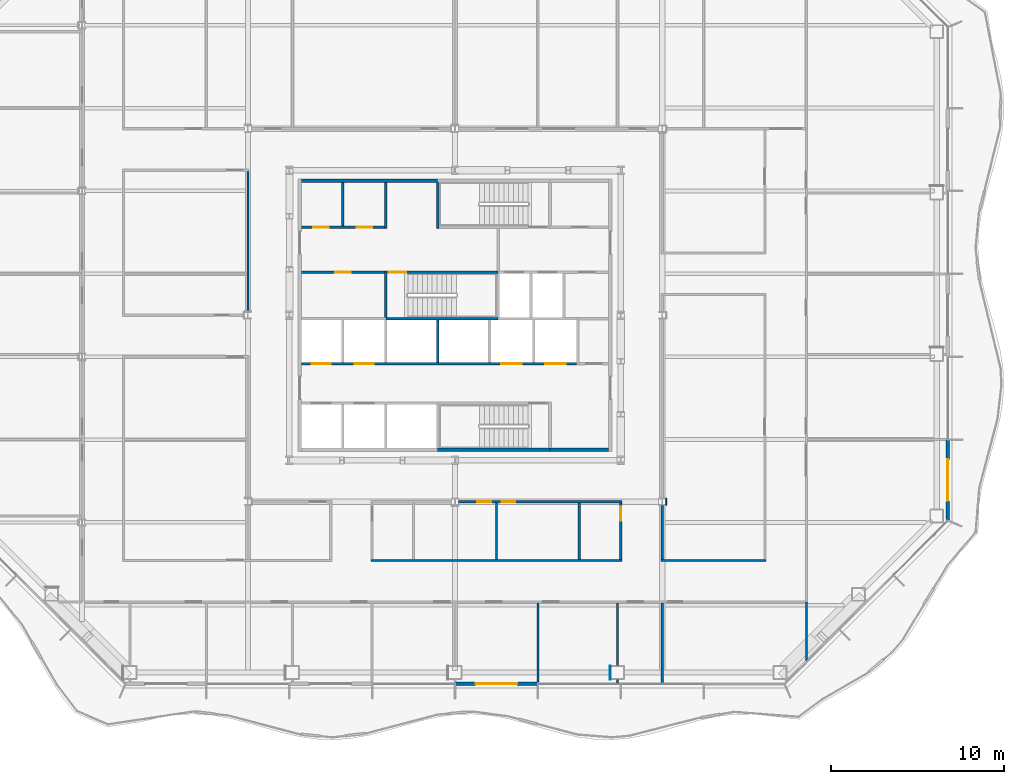
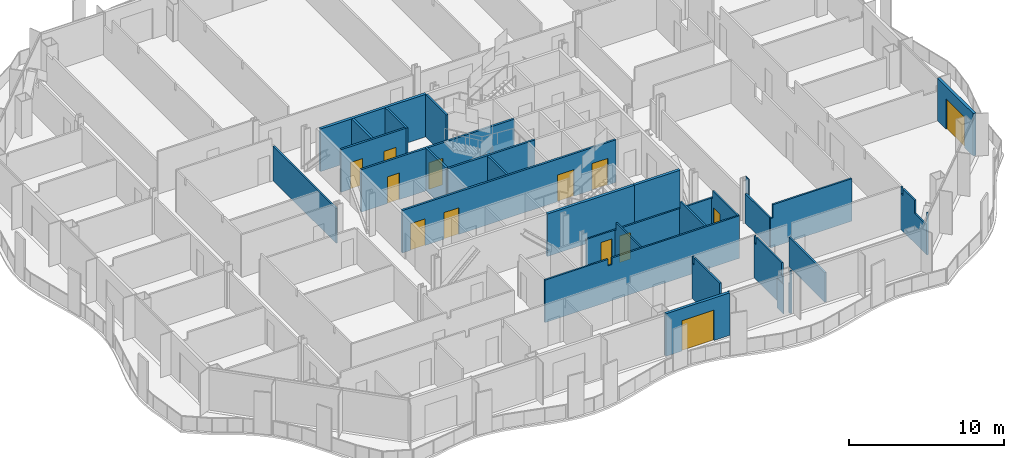
# One storey, part 10 of 23: 30 walls, 13 doors, 13 openings.
"""IFC4 building model written with IfcOpenShell, lengths in metres."""

from ifc_helpers import new_model, si_unit, direction, frame, frame_2d, origin, place, context, subcontext, project, spatial, polyline, rectangle, outline, extrude, material, layer, layer_set, type_object, element, fill, save


model = new_model("IFC4")

# Units and contexts
model_context = context("Model", 3, precision=1e-05, world=origin(), true_north=direction((0.0, 1.0)))
body_context = subcontext(model_context, "Body", "Model", "MODEL_VIEW")
ifc_project = project(units=[si_unit("LENGTHUNIT", "METRE"), si_unit("AREAUNIT", "SQUARE_METRE"), si_unit("VOLUMEUNIT", "CUBIC_METRE"), si_unit("PLANEANGLEUNIT", "RADIAN"), si_unit("MASSUNIT", "GRAM", prefix="KILO")], contexts=[model_context])

# Site, building, storey
site_placement = place(None, origin())
site = spatial("IfcSite", under=ifc_project, at=site_placement, CompositionType="ELEMENT")
building_placement = place(site_placement, origin())
building = spatial("IfcBuilding", under=site, at=building_placement, Name="Cairn Pilgrim Tower", CompositionType="ELEMENT")
storey_placement = place(building_placement, frame((0.0, 0.0, 115.800048828125)))
storey = spatial("IfcBuildingStorey", under=building, at=storey_placement, Name="L28", CompositionType="ELEMENT", Elevation=115.800048828125)

# Wall, opening, door
ifc_material_1 = material(Name="Bronze anodised aluminium insulated sandwich panel with mineral wool fill", Category="aluminium")
ifc_layer_1 = layer(ifc_material_1, 0.199951171875)
ifc_layer_set_1 = layer_set([ifc_layer_1], Name="BRONZE INFILL FRAME WALL 200")
wall_type_1 = type_object("IfcWallType", Name="BRONZE INFILL FRAME WALL 200", PredefinedType="NOTDEFINED", material=ifc_layer_set_1)
wall_1_placement = place(storey_placement, frame((7.22998046875, -18.949951171875, 0.0), z_axis=(0.0, 0.0, 1.0), x_axis=(1.0, 0.0, 0.0)))
wall_1 = element("IfcWall", 1, at=wall_1_placement, inside=storey, type_object=wall_type_1, Name="Bronze infill frame wall IW-S5", PredefinedType="NOTDEFINED", context=body_context, shape_type="SweptSolid", body=[
    extrude(rectangle(XDim=4.739990234375, YDim=0.199951171875, at=frame_2d((2.3701171875, 0.0))), origin(), (0.0, 0.0, 1.0), 3.349853515625),
])
opening_1_placement = place(wall_1_placement, frame((1.169921875, 0.0, 0.0)))
opening_1 = element("IfcOpeningElement", 2, at=opening_1_placement, cuts=wall_1, Name="Opening 2806B", PredefinedType="OPENING", context=body_context, shape_type="SweptSolid", body=[
    extrude(rectangle(XDim=2.39990234375, YDim=2.39990234375, at=frame_2d((1.199951171875, 1.199951171875))), frame((0.0, 0.10986328125, 0.0), z_axis=(0.0, -1.0, 0.0), x_axis=(1.0, 0.0, 0.0)), (0.0, 0.0, 1.0), 0.219970703125),
])
ifc_material_2 = material(Name="Bronze anodised aluminium frame with tinted low-E glass", Category="aluminium")
door_type_1 = type_object("IfcDoorType", Name="BALCONY SLIDING DOOR 2400x2400", OperationType="DOUBLE_DOOR_SLIDING", PredefinedType="DOOR", material=ifc_material_2)
door_1_placement = place(opening_1_placement, origin())
door_1 = element("IfcDoor", 3, at=door_1_placement, inside=storey, type_object=door_type_1, Name="Balcony sliding door 2806B", OperationType="SINGLE_SWING_LEFT", OverallHeight=2.39990234375, OverallWidth=2.39990234375, PredefinedType="DOOR", context=body_context, shape_type="SweptSolid", body=[
    extrude(rectangle(XDim=2.39990234375, YDim=2.39990234375, at=frame_2d((1.199951171875, 1.199951171875))), frame((0.0, 0.02490234375, 0.0), z_axis=(0.0, -1.0, 0.0), x_axis=(1.0, 0.0, 0.0)), (0.0, 0.0, 1.0), 0.050048828125),
])
fill(opening_1, door_1)

wall_2_placement = place(storey_placement, frame((35.75, -9.45654296875, 0.0), z_axis=(0.0, 0.0, 1.0), x_axis=(0.0, 1.0, 0.0)))
wall_2 = element("IfcWall", 4, at=wall_2_placement, inside=storey, type_object=wall_type_1, Name="Bronze infill frame wall IW-E1", PredefinedType="NOTDEFINED", context=body_context, shape_type="SweptSolid", body=[
    extrude(rectangle(XDim=4.62646484375, YDim=0.199951171875, at=frame_2d((2.313232421875, 0.0))), origin(), (0.0, 0.0, 1.0), 3.349853515625),
])
opening_2_placement = place(wall_2_placement, frame((1.108154296875, 0.0, 0.0)))
opening_2 = element("IfcOpeningElement", 5, at=opening_2_placement, cuts=wall_2, Name="Opening 2824B", PredefinedType="OPENING", context=body_context, shape_type="SweptSolid", body=[
    extrude(rectangle(XDim=2.39990234375, YDim=2.39990234375, at=frame_2d((1.199951171875, 1.199951171875))), frame((0.0, 0.10986328125, 0.0), z_axis=(0.0, -1.0, 0.0), x_axis=(1.0, 0.0, 0.0)), (0.0, 0.0, 1.0), 0.219970703125),
])
door_2_placement = place(opening_2_placement, origin())
door_2 = element("IfcDoor", 6, at=door_2_placement, inside=storey, type_object=door_type_1, Name="Balcony sliding door 2824B", OperationType="SINGLE_SWING_LEFT", OverallHeight=2.39990234375, OverallWidth=2.39990234375, PredefinedType="DOOR", context=body_context, shape_type="SweptSolid", body=[
    extrude(rectangle(XDim=2.39990234375, YDim=2.39990234375, at=frame_2d((1.199951171875, 1.199951171875))), frame((0.0, 0.02490234375, 0.0), z_axis=(0.0, -1.0, 0.0), x_axis=(1.0, 0.0, 0.0)), (0.0, 0.0, 1.0), 0.050048828125),
])
fill(opening_2, door_2)

# Walls
ifc_material_3 = material(Name="Concrete C32/40", Category="concrete")
ifc_layer_2 = layer(ifc_material_3, 0.199951171875)
ifc_layer_set_2 = layer_set([ifc_layer_2], Name="CORE OUTER WALL 200 EI 120")
wall_type_2 = type_object("IfcWallType", Name="CORE OUTER WALL 200 EI 120", PredefinedType="SOLIDWALL", material=ifc_layer_set_2)
wall_3_placement = place(storey_placement, frame((12.699951171875, -5.39990234375, 0.0), z_axis=(0.0, 0.0, 1.0), x_axis=(1.0, 0.0, 0.0)))
element("IfcWall", 7, at=wall_3_placement, inside=storey, type_object=wall_type_2, Name="CW:L28:H01-3", PredefinedType="SOLIDWALL", context=body_context, shape_type="SweptSolid", body=[
    extrude(rectangle(XDim=3.400146484375, YDim=0.199951171875, at=frame_2d((1.7001953125, 0.0))), origin(), (0.0, 0.0, 1.0), 3.349853515625),
])
wall_4_placement = place(storey_placement, frame((-1.699951171875, 10.199951171875, 0.0), z_axis=(0.0, 0.0, 1.0), x_axis=(1.0, 0.0, 0.0)))
element("IfcWall", 8, at=wall_4_placement, inside=storey, type_object=wall_type_2, Name="CW:L28:H11-1", PredefinedType="SOLIDWALL", context=body_context, shape_type="SweptSolid", body=[
    extrude(rectangle(XDim=7.89990234375, YDim=0.199951171875, at=frame_2d((3.949951171875, 0.0))), origin(), (0.0, 0.0, 1.0), 3.349853515625),
])

# Wall, opening, door
ifc_layer_3 = layer(ifc_material_3, 0.14990234375)
ifc_layer_set_3 = layer_set([ifc_layer_3], Name="CORE PARTITION 150 EI 60")
wall_type_3 = type_object("IfcWallType", Name="CORE PARTITION 150 EI 60", PredefinedType="PARTITIONING", material=ifc_layer_set_3)
wall_5_placement = place(storey_placement, frame((-1.699951171875, 4.89990234375, 0.0), z_axis=(0.0, 0.0, 1.0), x_axis=(1.0, 0.0, 0.0)))
wall_5 = element("IfcWall", 9, at=wall_5_placement, inside=storey, type_object=wall_type_3, Name="CW:L28:H07", PredefinedType="PARTITIONING", context=body_context, shape_type="SweptSolid", body=[
    extrude(rectangle(XDim=4.824951171875, YDim=0.14990234375, at=frame_2d((2.41259765625, 0.0))), origin(), (0.0, 0.0, 1.0), 3.349853515625),
])
opening_3_placement = place(wall_5_placement, frame((1.949951171875, 0.0, 0.0)))
opening_3 = element("IfcOpeningElement", 10, at=opening_3_placement, cuts=wall_5, Name="Opening RD-R3W1", PredefinedType="OPENING", context=body_context, shape_type="SweptSolid", body=[
    extrude(rectangle(XDim=0.89990234375, YDim=2.10009765625, at=frame_2d((0.449951171875, 1.050048828125))), frame((0.0, 0.0849609375, 0.0), z_axis=(0.0, -1.0, 0.0), x_axis=(1.0, 0.0, 0.0)), (0.0, 0.0, 1.0), 0.169921875),
])
ifc_material_4 = material(Name="Painted steel", Category="steel")
door_type_2 = type_object("IfcDoorType", Name="SERVICE ROOM DOOR 900x2100", OperationType="SINGLE_SWING_LEFT", PredefinedType="DOOR", material=ifc_material_4)
door_3_placement = place(opening_3_placement, origin())
door_3 = element("IfcDoor", 11, at=door_3_placement, inside=storey, type_object=door_type_2, Name="RD-R3W1", OperationType="SINGLE_SWING_LEFT", OverallHeight=2.10009765625, OverallWidth=0.89990234375, PredefinedType="DOOR", context=body_context, shape_type="SweptSolid", body=[
    extrude(rectangle(XDim=0.89990234375, YDim=2.10009765625, at=frame_2d((0.449951171875, 1.050048828125))), frame((0.0, 0.02490234375, 0.0), z_axis=(0.0, -1.0, 0.0), x_axis=(1.0, 0.0, 0.0)), (0.0, 0.0, 1.0), 0.050048828125),
])
fill(opening_3, door_3)

# Wall, openings, doors
wall_6_placement = place(storey_placement, frame((-1.699951171875, 7.5, 0.0), z_axis=(0.0, 0.0, 1.0), x_axis=(1.0, 0.0, 0.0)))
wall_6 = element("IfcWall", 12, at=wall_6_placement, inside=storey, type_object=wall_type_3, Name="CW:L28:H09", PredefinedType="PARTITIONING", context=body_context, shape_type="SweptSolid", body=[
    extrude(rectangle(XDim=4.824951171875, YDim=0.14990234375, at=frame_2d((2.41259765625, 0.0))), origin(), (0.0, 0.0, 1.0), 3.349853515625),
])
opening_4_placement = place(wall_6_placement, frame((0.699951171875, 0.0, 0.0)))
opening_4 = element("IfcOpeningElement", 13, at=opening_4_placement, cuts=wall_6, Name="Opening RD-R4W1", PredefinedType="OPENING", context=body_context, shape_type="SweptSolid", body=[
    extrude(rectangle(XDim=0.89990234375, YDim=2.10009765625, at=frame_2d((0.449951171875, 1.050048828125))), frame((0.0, 0.0849609375, 0.0), z_axis=(0.0, -1.0, 0.0), x_axis=(1.0, 0.0, 0.0)), (0.0, 0.0, 1.0), 0.169921875),
])
opening_5_placement = place(wall_6_placement, frame((3.199951171875, 0.0, 0.0)))
opening_5 = element("IfcOpeningElement", 14, at=opening_5_placement, cuts=wall_6, Name="Opening RD-R4W2", PredefinedType="OPENING", context=body_context, shape_type="SweptSolid", body=[
    extrude(rectangle(XDim=0.89990234375, YDim=2.10009765625, at=frame_2d((0.449951171875, 1.050048828125))), frame((0.0, 0.0849609375, 0.0), z_axis=(0.0, -1.0, 0.0), x_axis=(1.0, 0.0, 0.0)), (0.0, 0.0, 1.0), 0.169921875),
])
door_4_placement = place(opening_4_placement, origin())
door_4 = element("IfcDoor", 15, at=door_4_placement, inside=storey, type_object=door_type_2, Name="RD-R4W1", OperationType="SINGLE_SWING_RIGHT", OverallHeight=2.10009765625, OverallWidth=0.89990234375, PredefinedType="DOOR", context=body_context, shape_type="SweptSolid", body=[
    extrude(rectangle(XDim=0.89990234375, YDim=2.10009765625, at=frame_2d((0.449951171875, 1.050048828125))), frame((0.0, 0.02490234375, 0.0), z_axis=(0.0, -1.0, 0.0), x_axis=(1.0, 0.0, 0.0)), (0.0, 0.0, 1.0), 0.050048828125),
])
fill(opening_4, door_4)
door_5_placement = place(opening_5_placement, origin())
door_5 = element("IfcDoor", 16, at=door_5_placement, inside=storey, type_object=door_type_2, Name="RD-R4W2", OperationType="SINGLE_SWING_LEFT", OverallHeight=2.10009765625, OverallWidth=0.89990234375, PredefinedType="DOOR", context=body_context, shape_type="SweptSolid", body=[
    extrude(rectangle(XDim=0.89990234375, YDim=2.10009765625, at=frame_2d((0.449951171875, 1.050048828125))), frame((0.0, 0.02490234375, 0.0), z_axis=(0.0, -1.0, 0.0), x_axis=(1.0, 0.0, 0.0)), (0.0, 0.0, 1.0), 0.050048828125),
])
fill(opening_5, door_5)

# Walls
wall_7_placement = place(storey_placement, frame((0.699951171875, 7.574951171875, 0.0), z_axis=(0.0, 0.0, 1.0), x_axis=(0.0, 1.0, 0.0)))
element("IfcWall", 17, at=wall_7_placement, inside=storey, type_object=wall_type_3, Name="CW:L28:V15", PredefinedType="PARTITIONING", context=body_context, shape_type="SweptSolid", body=[
    extrude(rectangle(XDim=2.525146484375, YDim=0.14990234375, at=frame_2d((1.2626953125, 0.0))), origin(), (0.0, 0.0, 1.0), 3.349853515625),
])
wall_8_placement = place(storey_placement, frame((3.199951171875, 7.425048828125, 0.0), z_axis=(0.0, 0.0, 1.0), x_axis=(0.0, 1.0, 0.0)))
element("IfcWall", 18, at=wall_8_placement, inside=storey, type_object=wall_type_3, Name="CW:L28:V19", PredefinedType="PARTITIONING", context=body_context, shape_type="SweptSolid", body=[
    extrude(rectangle(XDim=2.675048828125, YDim=0.14990234375, at=frame_2d((1.33740234375, 0.0))), origin(), (0.0, 0.0, 1.0), 3.349853515625),
])

# Wall, openings, doors
ifc_layer_4 = layer(ifc_material_3, 0.14990234375)
ifc_layer_set_4 = layer_set([ifc_layer_4], Name="CORE SHAFT WALL 150 EI 120")
wall_type_4 = type_object("IfcWallType", Name="CORE SHAFT WALL 150 EI 120", PredefinedType="SOLIDWALL", material=ifc_layer_set_4)
wall_9_placement = place(storey_placement, frame((-1.699951171875, -0.39990234375, 0.0), z_axis=(0.0, 0.0, 1.0), x_axis=(1.0, 0.0, 0.0)))
wall_9 = element("IfcWall", 19, at=wall_9_placement, inside=storey, type_object=wall_type_4, Name="CW:L28:H03", PredefinedType="SOLIDWALL", context=body_context, shape_type="SweptSolid", body=[
    extrude(rectangle(XDim=15.925048828125, YDim=0.14990234375, at=frame_2d((7.96240234375, 0.0))), origin(), (0.0, 0.0, 1.0), 3.349853515625),
])
opening_6_placement = place(wall_9_placement, frame((0.60009765625, 0.0, 0.0)))
opening_6 = element("IfcOpeningElement", 20, at=opening_6_placement, cuts=wall_9, Name="Opening LD-LR3", PredefinedType="OPENING", context=body_context, shape_type="SweptSolid", body=[
    extrude(rectangle(XDim=1.10009765625, YDim=2.10009765625, at=frame_2d((0.550048828125, 1.050048828125))), frame((0.0, 0.0849609375, 0.0), z_axis=(0.0, -1.0, 0.0), x_axis=(1.0, 0.0, 0.0)), (0.0, 0.0, 1.0), 0.169921875),
])
opening_7_placement = place(wall_9_placement, frame((3.10009765625, 0.0, 0.0)))
opening_7 = element("IfcOpeningElement", 21, at=opening_7_placement, cuts=wall_9, Name="Opening LD-LR4", PredefinedType="OPENING", context=body_context, shape_type="SweptSolid", body=[
    extrude(rectangle(XDim=1.10009765625, YDim=2.10009765625, at=frame_2d((0.550048828125, 1.050048828125))), frame((0.0, 0.0849609375, 0.0), z_axis=(0.0, -1.0, 0.0), x_axis=(1.0, 0.0, 0.0)), (0.0, 0.0, 1.0), 0.169921875),
])
opening_8_placement = place(wall_9_placement, frame((11.574951171875, 0.0, 0.0)))
opening_8 = element("IfcOpeningElement", 22, at=opening_8_placement, cuts=wall_9, Name="Opening LD-SV1", PredefinedType="OPENING", context=body_context, shape_type="SweptSolid", body=[
    extrude(rectangle(XDim=1.199951171875, YDim=2.10009765625, at=frame_2d((0.60009765625, 1.050048828125))), frame((0.0, 0.0849609375, 0.0), z_axis=(0.0, -1.0, 0.0), x_axis=(1.0, 0.0, 0.0)), (0.0, 0.0, 1.0), 0.169921875),
])
opening_9_placement = place(wall_9_placement, frame((14.125, 0.0, 0.0)))
opening_9 = element("IfcOpeningElement", 23, at=opening_9_placement, cuts=wall_9, Name="Opening LD-SV2", PredefinedType="OPENING", context=body_context, shape_type="SweptSolid", body=[
    extrude(rectangle(XDim=1.199951171875, YDim=2.10009765625, at=frame_2d((0.60009765625, 1.050048828125))), frame((0.0, 0.0849609375, 0.0), z_axis=(0.0, -1.0, 0.0), x_axis=(1.0, 0.0, 0.0)), (0.0, 0.0, 1.0), 0.169921875),
])
ifc_material_5 = material(Name="Stainless steel", Category="steel")
door_type_3 = type_object("IfcDoorType", Name="LIFT LANDING DOOR 1100x2100", OperationType="DOUBLE_DOOR_SLIDING", PredefinedType="DOOR", material=ifc_material_5)
door_6_placement = place(opening_6_placement, origin())
door_6 = element("IfcDoor", 24, at=door_6_placement, inside=storey, type_object=door_type_3, Name="LANDING DOOR LR3", OperationType="DOUBLE_DOOR_SLIDING", OverallHeight=2.10009765625, OverallWidth=1.10009765625, PredefinedType="DOOR", context=body_context, shape_type="SweptSolid", body=[
    extrude(rectangle(XDim=1.10009765625, YDim=2.10009765625, at=frame_2d((0.550048828125, 1.050048828125))), frame((0.0, 0.02490234375, 0.0), z_axis=(0.0, -1.0, 0.0), x_axis=(1.0, 0.0, 0.0)), (0.0, 0.0, 1.0), 0.050048828125),
])
fill(opening_6, door_6)
door_7_placement = place(opening_7_placement, origin())
door_7 = element("IfcDoor", 25, at=door_7_placement, inside=storey, type_object=door_type_3, Name="LANDING DOOR LR4", OperationType="DOUBLE_DOOR_SLIDING", OverallHeight=2.10009765625, OverallWidth=1.10009765625, PredefinedType="DOOR", context=body_context, shape_type="SweptSolid", body=[
    extrude(rectangle(XDim=1.10009765625, YDim=2.10009765625, at=frame_2d((0.550048828125, 1.050048828125))), frame((0.0, 0.02490234375, 0.0), z_axis=(0.0, -1.0, 0.0), x_axis=(1.0, 0.0, 0.0)), (0.0, 0.0, 1.0), 0.050048828125),
])
fill(opening_7, door_7)
door_type_4 = type_object("IfcDoorType", Name="LIFT LANDING DOOR 1200x2100", OperationType="DOUBLE_DOOR_SLIDING", PredefinedType="DOOR", material=ifc_material_5)
door_8_placement = place(opening_8_placement, origin())
door_8 = element("IfcDoor", 26, at=door_8_placement, inside=storey, type_object=door_type_4, Name="LANDING DOOR SV1", OperationType="DOUBLE_DOOR_SLIDING", OverallHeight=2.10009765625, OverallWidth=1.199951171875, PredefinedType="DOOR", context=body_context, shape_type="SweptSolid", body=[
    extrude(rectangle(XDim=1.199951171875, YDim=2.10009765625, at=frame_2d((0.60009765625, 1.050048828125))), frame((0.0, 0.02490234375, 0.0), z_axis=(0.0, -1.0, 0.0), x_axis=(1.0, 0.0, 0.0)), (0.0, 0.0, 1.0), 0.050048828125),
])
fill(opening_8, door_8)
door_9_placement = place(opening_9_placement, origin())
door_9 = element("IfcDoor", 27, at=door_9_placement, inside=storey, type_object=door_type_4, Name="LANDING DOOR SV2", OperationType="DOUBLE_DOOR_SLIDING", OverallHeight=2.10009765625, OverallWidth=1.199951171875, PredefinedType="DOOR", context=body_context, shape_type="SweptSolid", body=[
    extrude(rectangle(XDim=1.199951171875, YDim=2.10009765625, at=frame_2d((0.60009765625, 1.050048828125))), frame((0.0, 0.02490234375, 0.0), z_axis=(0.0, -1.0, 0.0), x_axis=(1.0, 0.0, 0.0)), (0.0, 0.0, 1.0), 0.050048828125),
])
fill(opening_9, door_9)

# Walls
wall_10_placement = place(storey_placement, frame((6.199951171875, -0.324951171875, 0.0), z_axis=(0.0, 0.0, 1.0), x_axis=(0.0, 1.0, 0.0)))
element("IfcWall", 28, at=wall_10_placement, inside=storey, type_object=wall_type_4, Name="CW:L28:V21", PredefinedType="SOLIDWALL", context=body_context, shape_type="SweptSolid", body=[
    extrude(rectangle(XDim=2.449951171875, YDim=0.14990234375, at=frame_2d((1.22509765625, 0.0))), origin(), (0.0, 0.0, 1.0), 3.349853515625),
])
ifc_material_6 = material(Name="Gypsum partition")
ifc_layer_5 = layer(ifc_material_6, 0.125)
ifc_layer_set_5 = layer_set([ifc_layer_5], Name="PARTITION 125 DRYWALL EI 60")
wall_type_5 = type_object("IfcWallType", Name="PARTITION 125 DRYWALL EI 60", PredefinedType="PARTITIONING", material=ifc_layer_set_5)
wall_11_placement = place(storey_placement, frame((12.0, -18.85009765625, 0.0), z_axis=(0.0, 0.0, 1.0), x_axis=(0.0, 1.0, 0.0)))
element("IfcWall", 29, at=wall_11_placement, inside=storey, type_object=wall_type_5, Name="PARTITION W004", PredefinedType="PARTITIONING", context=body_context, shape_type="SweptSolid", body=[
    extrude(outline(polyline([(0.0, 0.0), (4.587646484375, 0.0), (4.58740234375, 3.349853515625), (4.554931640625, 3.349853515625), (4.552978515625, 2.780029296875), (4.344970703125, 2.780029296875), (4.343017578125, 3.349853515625), (1.050048828125, 3.349853515625), (1.048095703125, 2.329833984375), (0.050048828125, 2.329833984375), (0.048095703125, 3.349853515625), (0.0, 3.349853515625), (0.0, 0.0)])), frame((0.0, 0.0625, 0.0), z_axis=(0.0, -1.0, 0.0), x_axis=(1.0, 0.0, 0.0)), (0.0, 0.0, 1.0), 0.125),
])
wall_12_placement = place(storey_placement, frame((16.614013671875, -18.903076171875, 0.0), z_axis=(0.0, 0.0, 1.0), x_axis=(0.0, 1.0, 0.0)))
element("IfcWall", 30, at=wall_12_placement, inside=storey, type_object=wall_type_5, Name="PARTITION W005", PredefinedType="PARTITIONING", context=body_context, shape_type="SweptSolid", body=[
    extrude(outline(polyline([(0.0, 0.0), (0.203125, 0.0), (0.202880859375, 2.329833984375), (0.10302734375, 2.329833984375), (0.10107421875, 3.349853515625), (0.0, 3.349853515625), (0.0, 0.0)])), frame((0.0, 0.0625, 0.0), z_axis=(0.0, -1.0, 0.0), x_axis=(1.0, 0.0, 0.0)), (0.0, 0.0, 1.0), 0.125),
])
wall_13_placement = place(storey_placement, frame((19.199951171875, -18.903076171875, 0.0), z_axis=(0.0, 0.0, 1.0), x_axis=(0.0, 1.0, 0.0)))
element("IfcWall", 31, at=wall_13_placement, inside=storey, type_object=wall_type_5, Name="PARTITION W006", PredefinedType="PARTITIONING", context=body_context, shape_type="SweptSolid", body=[
    extrude(rectangle(XDim=4.640625, YDim=0.125, at=frame_2d((2.3203125, 0.0))), origin(), (0.0, 0.0, 1.0), 2.322021484375),
])
wall_14_placement = place(storey_placement, frame((16.614013671875, -17.89990234375, 0.0), z_axis=(0.0, 0.0, 1.0), x_axis=(0.0, 1.0, 0.0)))
element("IfcWall", 32, at=wall_14_placement, inside=storey, type_object=wall_type_5, Name="PARTITION W012", PredefinedType="PARTITIONING", context=body_context, shape_type="SweptSolid", body=[
    extrude(outline(polyline([(0.0, 0.0), (3.637451171875, 0.0), (3.637451171875, 3.349853515625), (3.60498046875, 3.349853515625), (3.60302734375, 2.780029296875), (3.39501953125, 2.780029296875), (3.39306640625, 3.349853515625), (0.10009765625, 3.349853515625), (0.097900390625, 2.329833984375), (0.0, 2.329833984375), (0.0, 0.0)])), frame((0.0, 0.0625, 0.0), z_axis=(0.0, -1.0, 0.0), x_axis=(1.0, 0.0, 0.0)), (0.0, 0.0, 1.0), 0.125),
])
wall_15_placement = place(storey_placement, frame((27.550048828125, -17.588623046875, 0.0), z_axis=(0.0, 0.0, 1.0), x_axis=(0.0, 1.0, 0.0)))
element("IfcWall", 33, at=wall_15_placement, inside=storey, type_object=wall_type_5, Name="PARTITION W013", PredefinedType="PARTITIONING", context=body_context, shape_type="SweptSolid", body=[
    extrude(outline(polyline([(0.0, 0.0), (3.388671875, 0.0), (3.388671875, 3.349853515625), (3.28857421875, 3.349853515625), (3.28662109375, 2.829833984375), (3.088623046875, 2.829833984375), (3.086669921875, 3.349853515625), (1.5810546875, 3.349853515625), (1.5791015625, 2.329833984375), (0.041748046875, 2.329833984375), (0.039794921875, 3.349853515625), (0.0, 3.349853515625), (0.0, 0.0)])), frame((0.0, 0.0625, 0.0), z_axis=(0.0, -1.0, 0.0), x_axis=(1.0, 0.0, 0.0)), (0.0, 0.0, 1.0), 0.125),
])
wall_16_placement = place(storey_placement, frame((2.33740234375, -11.800048828125, 0.0), z_axis=(0.0, 0.0, 1.0), x_axis=(1.0, 0.0, 0.0)))
element("IfcWall", 34, at=wall_16_placement, inside=storey, type_object=wall_type_5, Name="PARTITION W019", PredefinedType="PARTITIONING", context=body_context, shape_type="SweptSolid", body=[
    extrude(outline(polyline([(0.0, 0.0), (14.525146484375, 0.0), (14.52490234375, 3.349853515625), (5.012451171875, 3.349853515625), (5.010498046875, 2.829833984375), (4.71240234375, 2.829833984375), (4.71044921875, 3.349853515625), (0.0, 3.349853515625), (0.0, 0.0)])), frame((0.0, 0.0625, 0.0), z_axis=(0.0, -1.0, 0.0), x_axis=(1.0, 0.0, 0.0)), (0.0, 0.0, 1.0), 0.125),
])
wall_17_placement = place(storey_placement, frame((19.137451171875, -11.800048828125, 0.0), z_axis=(0.0, 0.0, 1.0), x_axis=(1.0, 0.0, 0.0)))
element("IfcWall", 35, at=wall_17_placement, inside=storey, type_object=wall_type_5, Name="PARTITION W020", PredefinedType="PARTITIONING", context=body_context, shape_type="SweptSolid", body=[
    extrude(outline(polyline([(0.0, 0.0), (6.074951171875, 0.0), (6.074951171875, 3.349853515625), (0.21337890625, 3.349853515625), (0.21142578125, 2.322021484375), (0.0, 2.322021484375), (0.0, 0.0)])), frame((0.0, 0.0625, 0.0), z_axis=(0.0, -1.0, 0.0), x_axis=(1.0, 0.0, 0.0)), (0.0, 0.0, 1.0), 0.125),
])
for number, where, z_axis, x_axis, name in (
    (36, (9.60009765625, -11.737548828125, 0.0), (0.0, 0.0, 1.0), (0.0, 1.0, 0.0), "PARTITION W026"),
    (37, (14.39990234375, -11.737548828125, 0.0), (0.0, 0.0, 1.0), (0.0, 1.0, 0.0), "PARTITION W027"),
):
    element("IfcWall", number, at=place(storey_placement, frame(where, z_axis=z_axis, x_axis=x_axis)), inside=storey, type_object=wall_type_5, Name=name, PredefinedType="PARTITIONING", context=body_context, shape_type="SweptSolid", body=[
        extrude(outline(polyline([(0.0, 0.0), (3.275146484375, 0.0), (3.27490234375, 2.72998046875), (3.1875, 2.72998046875), (3.185546875, 3.349853515625), (0.0, 3.349853515625), (0.0, 0.0)])), frame((0.0, 0.0625, 0.0), z_axis=(0.0, -1.0, 0.0), x_axis=(1.0, 0.0, 0.0)), (0.0, 0.0, 1.0), 0.125),
    ])

# Wall, opening, door
wall_18_placement = place(storey_placement, frame((16.800048828125, -11.737548828125, 0.0), z_axis=(0.0, 0.0, 1.0), x_axis=(0.0, 1.0, 0.0)))
wall_18 = element("IfcWall", 38, at=wall_18_placement, inside=storey, type_object=wall_type_5, Name="PARTITION W028", PredefinedType="PARTITIONING", context=body_context, shape_type="SweptSolid", body=[
    extrude(outline(polyline([(0.0, 0.0), (3.275146484375, 0.0), (3.27490234375, 2.72998046875), (3.1875, 2.72998046875), (3.185546875, 3.349853515625), (0.0, 3.349853515625), (0.0, 0.0)])), frame((0.0, 0.0625, 0.0), z_axis=(0.0, -1.0, 0.0), x_axis=(1.0, 0.0, 0.0)), (0.0, 0.0, 1.0), 0.125),
])
opening_10_placement = place(wall_18_placement, frame((2.237548828125, 0.0, 0.0)))
opening_10 = element("IfcOpeningElement", 39, at=opening_10_placement, cuts=wall_18, Name="Opening 2840", PredefinedType="OPENING", context=body_context, shape_type="SweptSolid", body=[
    extrude(rectangle(XDim=0.800048828125, YDim=2.10009765625, at=frame_2d((0.39990234375, 1.050048828125))), frame((0.0, 0.072509765625, 0.0), z_axis=(0.0, -1.0, 0.0), x_axis=(1.0, 0.0, 0.0)), (0.0, 0.0, 1.0), 0.14501953125),
])
ifc_material_7 = material(Name="Steel-faced fire door leaf", Category="steel")
door_type_5 = type_object("IfcDoorType", Name="FIRE DOOR 800x2100 FD30S", OperationType="NOTDEFINED", PredefinedType="DOOR", material=ifc_material_7)
door_10_placement = place(opening_10_placement, origin())
door_10 = element("IfcDoor", 40, at=door_10_placement, inside=storey, type_object=door_type_5, Name="DOOR 2840", OperationType="SINGLE_SWING_LEFT", OverallHeight=2.10009765625, OverallWidth=0.800048828125, PredefinedType="DOOR", context=body_context, shape_type="SweptSolid", body=[
    extrude(rectangle(XDim=0.800048828125, YDim=2.10009765625, at=frame_2d((0.39990234375, 1.050048828125))), frame((0.0, 0.02490234375, 0.0), z_axis=(0.0, -1.0, 0.0), x_axis=(1.0, 0.0, 0.0)), (0.0, 0.0, 1.0), 0.050048828125),
])
fill(opening_10, door_10)

# Wall
wall_19_placement = place(storey_placement, frame((19.199951171875, -11.737548828125, 0.0), z_axis=(0.0, 0.0, 1.0), x_axis=(0.0, 1.0, 0.0)))
element("IfcWall", 41, at=wall_19_placement, inside=storey, type_object=wall_type_5, Name="PARTITION W029", PredefinedType="PARTITIONING", context=body_context, shape_type="SweptSolid", body=[
    extrude(rectangle(XDim=3.125, YDim=0.125, at=frame_2d((1.5625, 0.0))), origin(), (0.0, 0.0, 1.0), 2.322021484375),
])

# Wall, openings, doors
wall_20_placement = place(storey_placement, frame((7.404541015625, -8.39990234375, 0.0), z_axis=(0.0, 0.0, 1.0), x_axis=(1.0, 0.0, 0.0)))
wall_20 = element("IfcWall", 42, at=wall_20_placement, inside=storey, type_object=wall_type_5, Name="PARTITION W036", PredefinedType="PARTITIONING", context=body_context, shape_type="SweptSolid", body=[
    extrude(rectangle(XDim=9.4580078125, YDim=0.125, at=frame_2d((4.72900390625, 0.0))), origin(), (0.0, 0.0, 1.0), 2.72998046875),
])
opening_11_placement = place(wall_20_placement, frame((1.095458984375, 0.0, 0.0)))
opening_11 = element("IfcOpeningElement", 43, at=opening_11_placement, cuts=wall_20, Name="Opening 2838", PredefinedType="OPENING", context=body_context, shape_type="SweptSolid", body=[
    extrude(rectangle(XDim=0.800048828125, YDim=2.10009765625, at=frame_2d((0.39990234375, 1.050048828125))), frame((0.0, 0.072509765625, 0.0), z_axis=(0.0, -1.0, 0.0), x_axis=(1.0, 0.0, 0.0)), (0.0, 0.0, 1.0), 0.14501953125),
])
opening_12_placement = place(wall_20_placement, frame((2.49560546875, 0.0, 0.0)))
opening_12 = element("IfcOpeningElement", 44, at=opening_12_placement, cuts=wall_20, Name="Opening 2839", PredefinedType="OPENING", context=body_context, shape_type="SweptSolid", body=[
    extrude(rectangle(XDim=0.800048828125, YDim=2.10009765625, at=frame_2d((0.39990234375, 1.050048828125))), frame((0.0, 0.072509765625, 0.0), z_axis=(0.0, -1.0, 0.0), x_axis=(1.0, 0.0, 0.0)), (0.0, 0.0, 1.0), 0.14501953125),
])
door_11_placement = place(opening_11_placement, frame((0.800048828125, 0.0, 0.0), z_axis=(0.0, 0.0, 1.0), x_axis=(-1.0, 0.0, 0.0)))
door_11 = element("IfcDoor", 45, at=door_11_placement, inside=storey, type_object=door_type_5, Name="DOOR 2838", OperationType="SINGLE_SWING_LEFT", OverallHeight=2.10009765625, OverallWidth=0.800048828125, PredefinedType="DOOR", context=body_context, shape_type="SweptSolid", body=[
    extrude(rectangle(XDim=0.800048828125, YDim=2.10009765625, at=frame_2d((0.39990234375, 1.050048828125))), frame((0.0, 0.02490234375, 0.0), z_axis=(0.0, -1.0, 0.0), x_axis=(1.0, 0.0, 0.0)), (0.0, 0.0, 1.0), 0.050048828125),
])
fill(opening_11, door_11)
door_12_placement = place(opening_12_placement, frame((0.800048828125, 0.0, 0.0), z_axis=(0.0, 0.0, 1.0), x_axis=(-1.0, 0.0, 0.0)))
door_12 = element("IfcDoor", 46, at=door_12_placement, inside=storey, type_object=door_type_5, Name="DOOR 2839", OperationType="SINGLE_SWING_RIGHT", OverallHeight=2.10009765625, OverallWidth=0.800048828125, PredefinedType="DOOR", context=body_context, shape_type="SweptSolid", body=[
    extrude(rectangle(XDim=0.800048828125, YDim=2.10009765625, at=frame_2d((0.39990234375, 1.050048828125))), frame((0.0, 0.02490234375, 0.0), z_axis=(0.0, -1.0, 0.0), x_axis=(1.0, 0.0, 0.0)), (0.0, 0.0, 1.0), 0.050048828125),
])
fill(opening_12, door_12)

# Walls
wall_21_placement = place(storey_placement, frame((-4.800048828125, 2.612548828125, 0.0), z_axis=(0.0, 0.0, 1.0), x_axis=(0.0, 1.0, 0.0)))
element("IfcWall", 47, at=wall_21_placement, inside=storey, type_object=wall_type_5, Name="PARTITION W050", PredefinedType="PARTITIONING", context=body_context, shape_type="SweptSolid", body=[
    extrude(rectangle(XDim=8.125, YDim=0.125, at=frame_2d((4.0625, 0.0))), origin(), (0.0, 0.0, 1.0), 2.72998046875),
])
ifc_layer_6 = layer(ifc_material_6, 0.050048828125)
ifc_layer_set_6 = layer_set([ifc_layer_6], Name="PARTITION 50 DRYWALL EI 60")
wall_type_6 = type_object("IfcWallType", Name="PARTITION 50 DRYWALL EI 60", PredefinedType="PARTITIONING", material=ifc_layer_set_6)
wall_22_placement = place(storey_placement, frame((16.188720703125, -18.699951171875, 0.0), z_axis=(0.0, 0.0, 1.0), x_axis=(0.0, 1.0, 0.0)))
element("IfcWall", 48, at=wall_22_placement, inside=storey, type_object=wall_type_6, Name="COLUMN CASING WC02", PredefinedType="PARTITIONING", context=body_context, shape_type="SweptSolid", body=[
    extrude(rectangle(XDim=0.800048828125, YDim=0.050048828125, at=frame_2d((0.39990234375, 0.0))), origin(), (0.0, 0.0, 1.0), 2.329833984375),
])
wall_23_placement = place(storey_placement, frame((19.429443359375, -8.612548828125, 0.0), z_axis=(0.0, 0.0, 1.0), x_axis=(0.0, 1.0, 0.0)))
element("IfcWall", 49, at=wall_23_placement, inside=storey, type_object=wall_type_6, Name="COLUMN CASING WC11", PredefinedType="PARTITIONING", context=body_context, shape_type="SweptSolid", body=[
    extrude(rectangle(XDim=0.425048828125, YDim=0.050048828125, at=frame_2d((0.21240234375, 0.0))), origin(), (0.0, 0.0, 1.0), 3.349853515625),
])
ifc_material_8 = material(Name="Concrete C35/45", Category="concrete")
ifc_layer_7 = layer(ifc_material_8, 0.14990234375)
ifc_layer_set_7 = layer_set([ifc_layer_7], Name="STAIR SHAFT WALL 150 EI 120")
wall_type_7 = type_object("IfcWallType", Name="STAIR SHAFT WALL 150 EI 120", PredefinedType="SOLIDWALL", material=ifc_layer_set_7)
wall_24_placement = place(storey_placement, frame((3.199951171875, 2.199951171875, 0.0), z_axis=(0.0, 0.0, 1.0), x_axis=(1.0, 0.0, 0.0)))
element("IfcWall", 50, at=wall_24_placement, inside=storey, type_object=wall_type_7, Name="CW:L28:H05-2", PredefinedType="SOLIDWALL", context=body_context, shape_type="SweptSolid", body=[
    extrude(rectangle(XDim=6.5, YDim=0.14990234375, at=frame_2d((3.25, 0.0))), origin(), (0.0, 0.0, 1.0), 3.349853515625),
])

# Wall, opening, door
wall_25_placement = place(storey_placement, frame((3.27490234375, 4.89990234375, 0.0), z_axis=(0.0, 0.0, 1.0), x_axis=(1.0, 0.0, 0.0)))
wall_25 = element("IfcWall", 51, at=wall_25_placement, inside=storey, type_object=wall_type_7, Name="CW:L28:H08-1", PredefinedType="SOLIDWALL", context=body_context, shape_type="SweptSolid", body=[
    extrude(rectangle(XDim=6.425048828125, YDim=0.14990234375, at=frame_2d((3.21240234375, 0.0))), origin(), (0.0, 0.0, 1.0), 3.349853515625),
])
opening_13_placement = place(wall_25_placement, frame((0.10009765625, 0.0, 0.0)))
opening_13 = element("IfcOpeningElement", 52, at=opening_13_placement, cuts=wall_25, Name="Opening SD-B", PredefinedType="OPENING", context=body_context, shape_type="SweptSolid", body=[
    extrude(rectangle(XDim=1.0, YDim=2.10009765625, at=frame_2d((0.5, 1.050048828125))), frame((0.0, 0.0849609375, 0.0), z_axis=(0.0, -1.0, 0.0), x_axis=(1.0, 0.0, 0.0)), (0.0, 0.0, 1.0), 0.169921875),
])
door_type_6 = type_object("IfcDoorType", Name="STAIR DOOR FD60S 1000x2100", OperationType="SINGLE_SWING_LEFT", PredefinedType="DOOR", material=ifc_material_4)
door_13_placement = place(opening_13_placement, origin())
door_13 = element("IfcDoor", 53, at=door_13_placement, inside=storey, type_object=door_type_6, Name="SD-B", OperationType="SINGLE_SWING_RIGHT", OverallHeight=2.10009765625, OverallWidth=1.0, PredefinedType="DOOR", context=body_context, shape_type="SweptSolid", body=[
    extrude(rectangle(XDim=1.0, YDim=2.10009765625, at=frame_2d((0.5, 1.050048828125))), frame((0.0, 0.02490234375, 0.0), z_axis=(0.0, -1.0, 0.0), x_axis=(1.0, 0.0, 0.0)), (0.0, 0.0, 1.0), 0.050048828125),
])
fill(opening_13, door_13)

# Walls
wall_26_placement = place(storey_placement, frame((3.199951171875, 2.27490234375, 0.0), z_axis=(0.0, 0.0, 1.0), x_axis=(0.0, 1.0, 0.0)))
element("IfcWall", 54, at=wall_26_placement, inside=storey, type_object=wall_type_7, Name="CW:L28:V18", PredefinedType="SOLIDWALL", context=body_context, shape_type="SweptSolid", body=[
    extrude(rectangle(XDim=2.7001953125, YDim=0.14990234375, at=frame_2d((1.35009765625, 0.0))), origin(), (0.0, 0.0, 1.0), 3.349853515625),
])
wall_27_placement = place(storey_placement, frame((6.199951171875, 7.425048828125, 0.0), z_axis=(0.0, 0.0, 1.0), x_axis=(0.0, 1.0, 0.0)))
element("IfcWall", 55, at=wall_27_placement, inside=storey, type_object=wall_type_7, Name="CW:L28:V22", PredefinedType="SOLIDWALL", context=body_context, shape_type="SweptSolid", body=[
    extrude(rectangle(XDim=2.675048828125, YDim=0.14990234375, at=frame_2d((1.33740234375, 0.0))), origin(), (0.0, 0.0, 1.0), 3.349853515625),
])
ifc_layer_8 = layer(ifc_material_8, 0.199951171875)
ifc_layer_set_8 = layer_set([ifc_layer_8], Name="STAIR SHAFT WALL 200 EI 120")
wall_type_8 = type_object("IfcWallType", Name="STAIR SHAFT WALL 200 EI 120", PredefinedType="SOLIDWALL", material=ifc_layer_set_8)
wall_28_placement = place(storey_placement, frame((6.199951171875, -5.39990234375, 0.0), z_axis=(0.0, 0.0, 1.0), x_axis=(1.0, 0.0, 0.0)))
element("IfcWall", 56, at=wall_28_placement, inside=storey, type_object=wall_type_8, Name="CW:L28:H01-2", PredefinedType="SOLIDWALL", context=body_context, shape_type="SweptSolid", body=[
    extrude(rectangle(XDim=6.5, YDim=0.199951171875, at=frame_2d((3.25, 0.0))), origin(), (0.0, 0.0, 1.0), 3.349853515625),
])

save(model, "model.ifc")
